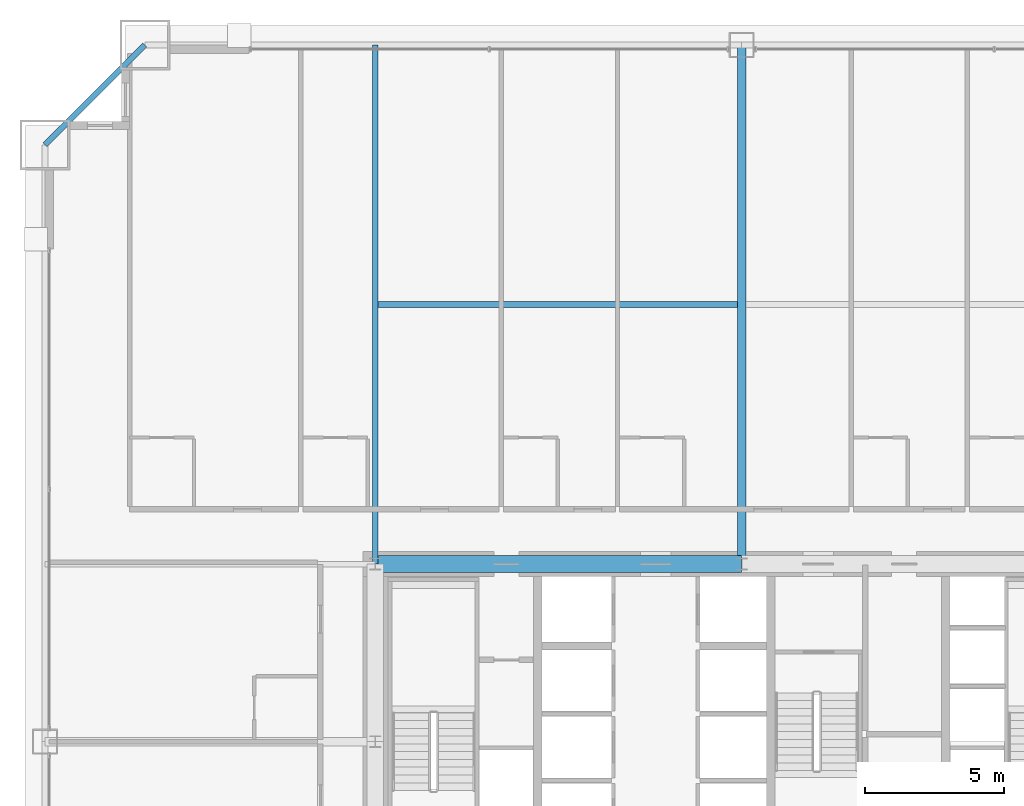
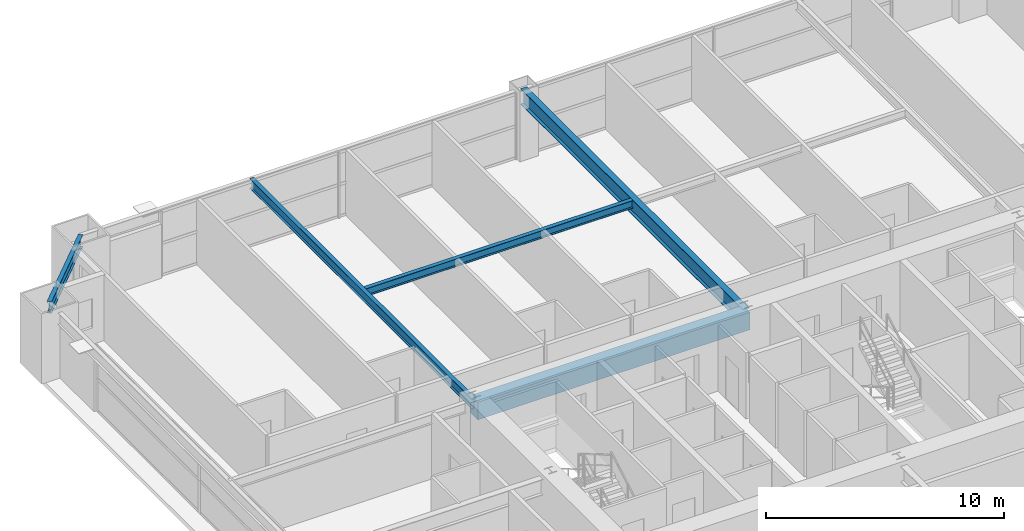
# One storey, part 26 of 45: 5 beams.
"""IFC4 building model written with IfcOpenShell, lengths in metres."""

from ifc_helpers import new_model, si_unit, direction, frame, origin, origin_2d, place, context, subcontext, project, spatial, rectangle, i_section, extrude, source, transform, mapped, material, material_profile, profile_set, type_object, element, save


model = new_model("IFC4")

# Units and contexts
model_context = context("Model", 3, precision=1e-05, world=origin(), true_north=direction((0.0, 1.0)))
body_context = subcontext(model_context, "Body", "Model", "MODEL_VIEW")
ifc_project = project(units=[si_unit("LENGTHUNIT", "METRE"), si_unit("AREAUNIT", "SQUARE_METRE"), si_unit("VOLUMEUNIT", "CUBIC_METRE"), si_unit("PLANEANGLEUNIT", "RADIAN"), si_unit("MASSUNIT", "GRAM", prefix="KILO"), si_unit("THERMODYNAMICTEMPERATUREUNIT", "KELVIN"), si_unit("POWERUNIT", "WATT")], contexts=[model_context])

# Site, building, storey
site_placement = place(None, origin())
site = spatial("IfcSite", under=ifc_project, at=site_placement, CompositionType="ELEMENT")
building_placement = place(site_placement, origin())
building = spatial("IfcBuilding", under=site, at=building_placement, Name="Yuzanri Waterfront Tower", CompositionType="ELEMENT")
storey_placement = place(building_placement, frame((0.0, 0.0, 49.60009765625)))
storey = spatial("IfcBuildingStorey", under=building, at=storey_placement, Name="L12", CompositionType="ELEMENT", Elevation=49.60009765625)

# Beams
ifc_material_1 = material(Name="Concrete C60", Category="concrete")
ifc_material_profile_1 = material_profile(ifc_material_1, rectangle(XDim=0.60009765625, YDim=0.89990234375, at=origin_2d()), Name="RC 600x900")
ifc_profile_set_1 = profile_set([ifc_material_profile_1], Name="Concrete C60")
beam_type_1 = type_object("IfcBeamType", Name="Core Coupling Lintel Concrete C60 600x900", PredefinedType="LINTEL", material=ifc_profile_set_1)
shared_shape_1 = source(origin(), body_context, "Body", "SweptSolid", [
    extrude(rectangle(XDim=0.60009765625, YDim=0.89990234375, at=origin_2d()), origin(), (0.0, 0.0, 1.0), 13.199951171875),
])
beam_1_placement = place(storey_placement, frame((23.800048828125, 32.199951171875, 2.929931640625), z_axis=(1.0, 0.0, 0.0), x_axis=(0.0, 1.0, 0.0)))
element("IfcBeam", 1, at=beam_1_placement, inside=storey, type_object=beam_type_1, Name="L12 Core Tie Beam CN1", PredefinedType="LINTEL", context=body_context, shape_type="MappedRepresentation", body=[
    mapped(shared_shape_1, transform((0.0, 0.0, 0.0), scale=1.0)),
])
ifc_material_2 = material(Name="Steel Q355B", Category="steel")
ifc_material_profile_2 = material_profile(ifc_material_2, i_section(OverallWidth=0.199951171875, OverallDepth=0.60009765625, WebThickness=0.010986328125, FlangeThickness=0.01708984375, at=origin_2d()), Name="HN 600x200x11x17")
ifc_profile_set_2 = profile_set([ifc_material_profile_2], Name="Steel Q355B")
beam_type_2 = type_object("IfcBeamType", Name="Perimeter Spandrel Q355B HN 600x200", PredefinedType="SPANDREL", material=ifc_profile_set_2)
shared_shape_2 = source(origin(), body_context, "Body", "SweptSolid", [
    extrude(i_section(OverallWidth=0.199951171875, OverallDepth=0.60009765625, WebThickness=0.010986328125, FlangeThickness=0.01708984375, at=origin_2d()), origin(), (0.0, 0.0, 1.0), 5.091064453125),
])
beam_2_placement = place(storey_placement, frame((15.5, 50.89990234375, 3.079833984375), z_axis=(-0.707130757816, -0.707082803744, 0.0), x_axis=(0.707082803744, -0.707130757816, 0.0)))
element("IfcBeam", 2, at=beam_2_placement, inside=storey, type_object=beam_type_2, Name="L12 Perimeter Spandrel N1-W3", PredefinedType="SPANDREL", context=body_context, shape_type="MappedRepresentation", body=[
    mapped(shared_shape_2, transform((0.0, 0.0, 0.0), scale=1.0)),
])
ifc_material_3 = material(Name="Steel Q355B", Category="steel")
ifc_material_profile_3 = material_profile(ifc_material_3, i_section(OverallWidth=0.300048828125, OverallDepth=0.800048828125, WebThickness=0.013916015625, FlangeThickness=0.02587890625, at=origin_2d()), Name="HN 800x300x14x26")
ifc_profile_set_3 = profile_set([ifc_material_profile_3], Name="Steel Q355B")
beam_type_3 = type_object("IfcBeamType", Name="Primary Floor Girder Q355B HN 800x300", PredefinedType="BEAM", material=ifc_profile_set_3)
shared_shape_3 = source(origin(), body_context, "Body", "SweptSolid", [
    extrude(i_section(OverallWidth=0.300048828125, OverallDepth=0.800048828125, WebThickness=0.013916015625, FlangeThickness=0.02587890625, at=origin_2d()), origin(), (0.0, 0.0, 1.0), 18.699951171875),
])
beam_3_placement = place(storey_placement, frame((37.0, 32.199951171875, 2.97998046875), z_axis=(0.0, 1.0, 0.0), x_axis=(-1.0, 0.0, 0.0)))
element("IfcBeam", 3, at=beam_3_placement, inside=storey, type_object=beam_type_3, Name="L12 North Grid Girder", PredefinedType="BEAM", context=body_context, shape_type="MappedRepresentation", body=[
    mapped(shared_shape_3, transform((0.0, 0.0, 0.0), scale=1.0)),
])
ifc_material_4 = material(Name="Steel Q355B", Category="steel")
ifc_material_profile_4 = material_profile(ifc_material_4, i_section(OverallWidth=0.199951171875, OverallDepth=0.5, WebThickness=0.010009765625, FlangeThickness=0.01611328125, at=origin_2d()), Name="HN 500x200x10x16")
ifc_profile_set_4 = profile_set([ifc_material_profile_4], Name="Steel Q355B")
beam_type_4 = type_object("IfcBeamType", Name="Secondary Floor Beam Q355B HN 500x200", PredefinedType="BEAM", material=ifc_profile_set_4)
shared_shape_4 = source(origin(), body_context, "Body", "SweptSolid", [
    extrude(i_section(OverallWidth=0.199951171875, OverallDepth=0.5, WebThickness=0.010009765625, FlangeThickness=0.01611328125, at=origin_2d()), origin(), (0.0, 0.0, 1.0), 18.699951171875),
])
beam_4_placement = place(storey_placement, frame((23.800048828125, 32.199951171875, 3.1298828125), z_axis=(0.0, 1.0, 0.0), x_axis=(-1.0, 0.0, 0.0)))
element("IfcBeam", 4, at=beam_4_placement, inside=storey, type_object=beam_type_4, Name="L12 North-West Core Line Beam", PredefinedType="BEAM", context=body_context, shape_type="MappedRepresentation", body=[
    mapped(shared_shape_4, transform((0.0, 0.0, 0.0), scale=1.0)),
])
ifc_material_5 = material(Name="Steel Q355B", Category="steel")
ifc_material_profile_5 = material_profile(ifc_material_5, i_section(OverallWidth=0.199951171875, OverallDepth=0.39990234375, WebThickness=0.008056640625, FlangeThickness=0.012939453125, at=origin_2d()), Name="HN 400x200x8x13")
ifc_profile_set_5 = profile_set([ifc_material_profile_5], Name="Steel Q355B")
beam_type_5 = type_object("IfcBeamType", Name="Floor Joist Q355B HN 400x200", PredefinedType="JOIST", material=ifc_profile_set_5)
shared_shape_5 = source(origin(), body_context, "Body", "SweptSolid", [
    extrude(i_section(OverallWidth=0.199951171875, OverallDepth=0.39990234375, WebThickness=0.008056640625, FlangeThickness=0.012939453125, at=origin_2d()), origin(), (0.0, 0.0, 1.0), 12.9501953125),
])
beam_5_placement = place(storey_placement, frame((23.89990234375, 41.550048828125, 3.179931640625), z_axis=(1.0, 0.0, 0.0), x_axis=(0.0, 1.0, 0.0)))
element("IfcBeam", 5, at=beam_5_placement, inside=storey, type_object=beam_type_5, Name="L12 North Bay Joist W", PredefinedType="JOIST", context=body_context, shape_type="MappedRepresentation", body=[
    mapped(shared_shape_5, transform((0.0, 0.0, 0.0), scale=1.0)),
])

save(model, "model.ifc")
